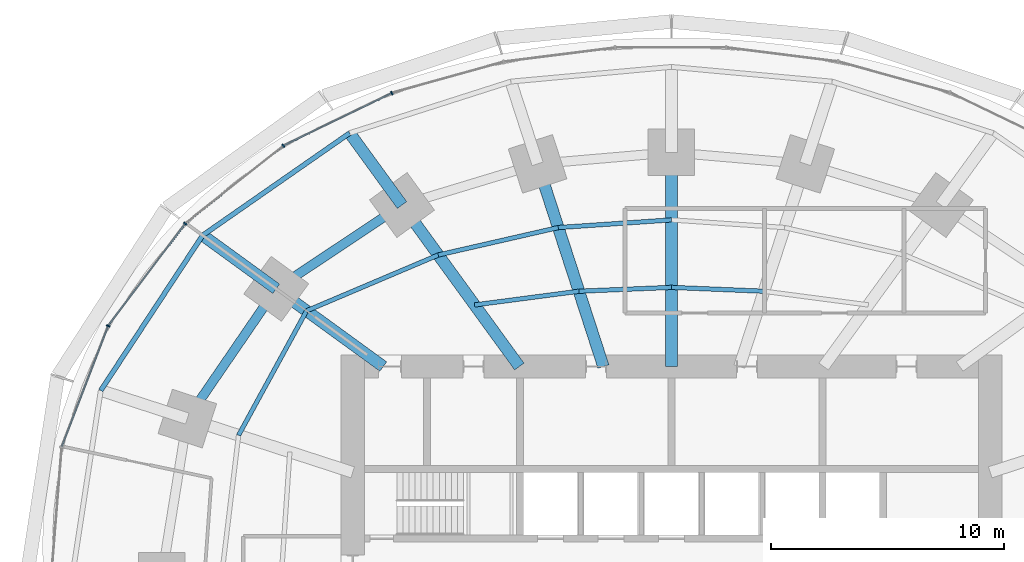
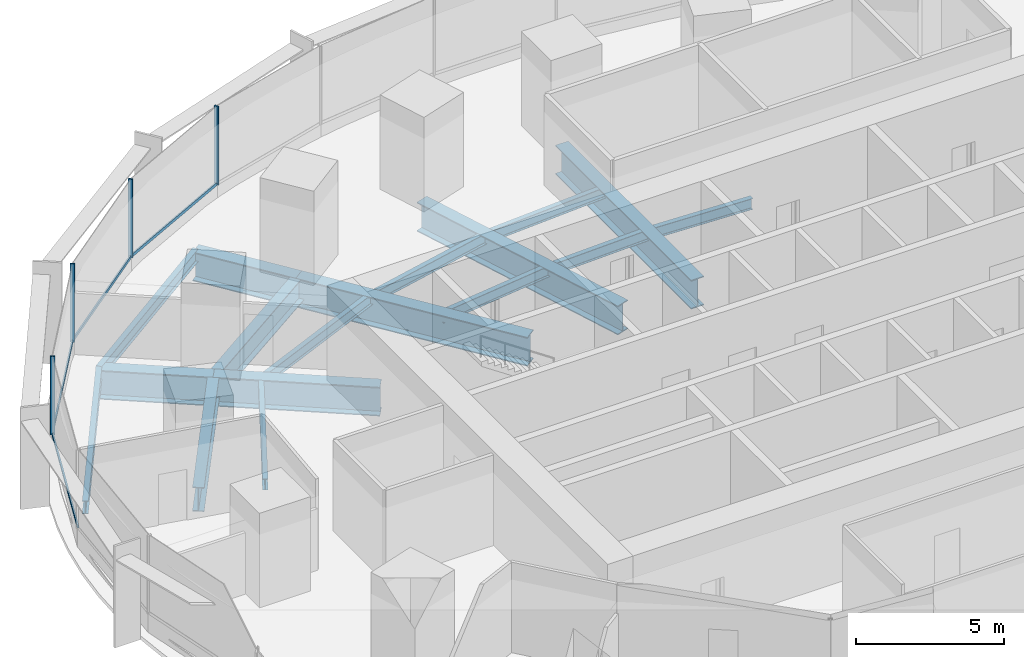
# One storey, part 7 of 15: 17 beams, 8 members, 1 element without a shape of its own.
"""IFC4 building model written with IfcOpenShell, lengths in metres."""

import ifcopenshell
import ifcopenshell.guid

model = None  # the IFC model being written
_history = None  # IfcOwnerHistory: only IFC2X3 demands one
_inside = {}  # id of a spatial element -> (the spatial element, [elements in it])
_under = {}  # id of a project, library or spatial element -> (it, [spatial elements below it])
_declared = {}  # id of a project -> (the project, [libraries it declares])
_typed = {}  # id of a type object -> (the type object, [elements of that type])
_made_of = {}  # id of a material, layer set ... -> (it, [elements and type objects made of it])


def new_model(schema):
    """Start an empty IFC model of exactly this schema.

    Asked for "IFC4X3", IfcOpenShell would pick the latest addendum, in which some entities
    have other attributes; the version numbers below select the first issue.
    IFC2X3 requires an IfcOwnerHistory on every rooted entity: one is made here for all.
    """
    global model, _history
    if schema == "IFC4X3":
        model = ifcopenshell.file(schema_version=(4, 3, 0, 0))
    else:
        model = ifcopenshell.file(schema=schema)
    _inside.clear()
    _under.clear()
    _declared.clear()
    _typed.clear()
    _made_of.clear()
    _history = None
    if model.schema == "IFC2X3":
        org = make("IfcOrganization", Name="unknown")
        user = make(
            "IfcPersonAndOrganization",
            ThePerson=make("IfcPerson", FamilyName="unknown"),
            TheOrganization=org,
        )
        app = make(
            "IfcApplication",
            ApplicationDeveloper=org,
            Version="unknown",
            ApplicationFullName="unknown",
            ApplicationIdentifier="unknown",
        )
        _history = make(
            "IfcOwnerHistory",
            OwningUser=user,
            OwningApplication=app,
            ChangeAction="ADDED",
            CreationDate=0,
        )
    return model


def make(cls, **values):
    """One entity of the class cls with the attributes given. An attribute that is None is left unset."""
    return model.create_entity(
        cls, **{name: value for name, value in values.items() if value is not None}
    )


def rooted(cls, **values):
    """An entity with a GlobalId (a new one), such as an element, a storey or a relation."""
    return make(cls, GlobalId=ifcopenshell.guid.new(), OwnerHistory=_history, **values)


def si_unit(unit_type, name, prefix=None):
    """IfcSIUnit, for example si_unit("LENGTHUNIT", "METRE", prefix="MILLI")."""
    return make("IfcSIUnit", UnitType=unit_type, Prefix=prefix, Name=name)


def assignment(units):
    """IfcUnitAssignment: the units of a project."""
    return None if units is None else make("IfcUnitAssignment", Units=units)


def point(xyz):
    """IfcCartesianPoint."""
    return None if xyz is None else make("IfcCartesianPoint", Coordinates=xyz)


def direction(xyz):
    """IfcDirection."""
    return None if xyz is None else make("IfcDirection", DirectionRatios=xyz)


def frame(location, z_axis=None, x_axis=None):
    """IfcAxis2Placement3D, a coordinate frame: its origin and axes. An axis left out is left unset."""
    return make(
        "IfcAxis2Placement3D",
        Location=point(location),
        Axis=direction(z_axis),
        RefDirection=direction(x_axis),
    )


def frame_2d(location, x_axis=None):
    """IfcAxis2Placement2D, a coordinate frame in the plane: its origin and x axis."""
    return make(
        "IfcAxis2Placement2D", Location=point(location), RefDirection=direction(x_axis)
    )


def origin():
    """The frame at (0, 0, 0) with its axes left unset."""
    return frame((0.0, 0.0, 0.0))


def origin_2d():
    """The frame at (0, 0) in the plane with its x axis left unset."""
    return frame_2d((0.0, 0.0))


def place(relative_to, where):
    """IfcLocalPlacement: puts the frame where relative to a parent placement (None: the world)."""
    return make(
        "IfcLocalPlacement", PlacementRelTo=relative_to, RelativePlacement=where
    )


def context(
    kind, dimensions, precision=None, world=None, true_north=None, identifier=None
):
    """IfcGeometricRepresentationContext, for example the 3D "Model" context."""
    return make(
        "IfcGeometricRepresentationContext",
        ContextIdentifier=identifier,
        ContextType=kind,
        CoordinateSpaceDimension=dimensions,
        Precision=precision,
        WorldCoordinateSystem=world,
        TrueNorth=true_north,
    )


def subcontext(parent, identifier, kind, view, scale=None):
    """IfcGeometricRepresentationSubContext, for example "Body" below "Model"."""
    return make(
        "IfcGeometricRepresentationSubContext",
        ContextIdentifier=identifier,
        ContextType=kind,
        ParentContext=parent,
        TargetScale=scale,
        TargetView=view,
    )


def project(units=None, contexts=None):
    """IfcProject with its units and contexts."""
    return rooted(
        "IfcProject",
        Name="project",
        RepresentationContexts=contexts,
        UnitsInContext=assignment(units),
    )


def spatial(cls, under=None, at=None, **own):
    """A site, building, storey or space (cls), placed at a placement, below another one or the project."""
    s = rooted(cls, ObjectPlacement=at, **own)
    if under is not None:
        _under.setdefault(under.id(), (under, []))[1].append(s)
    return s


def profile(cls, at=None, kind="AREA", **sizes):
    """A parametric profile (cls). Its sizes go by their IFC names, for example OverallWidth=200.0."""
    return make(cls, ProfileType=kind, Position=at, **sizes)


def rectangle(**sizes):
    """IfcRectangleProfileDef."""
    return profile("IfcRectangleProfileDef", **sizes)


def i_section(**sizes):
    """IfcIShapeProfileDef."""
    return profile("IfcIShapeProfileDef", **sizes)


def extrude(swept, where, along, depth):
    """IfcExtrudedAreaSolid: the profile swept, set in the frame where, extruded along a direction by depth."""
    return make(
        "IfcExtrudedAreaSolid",
        SweptArea=swept,
        Position=where,
        ExtrudedDirection=direction(along),
        Depth=depth,
    )


def shape(context_of_items, identifier, shape_type, items):
    """IfcShapeRepresentation: the items that make up one representation, for example the "Body"."""
    return make(
        "IfcShapeRepresentation",
        ContextOfItems=context_of_items,
        RepresentationIdentifier=identifier,
        RepresentationType=shape_type,
        Items=items,
    )


def material(Name=None, Category=None):
    """IfcMaterial."""
    return make("IfcMaterial", Name=Name, Category=Category)


def material_profile(
    of_material, cross_section, Name=None, Category=None, Priority=None
):
    """IfcMaterialProfile: a cross section and its material."""
    return make(
        "IfcMaterialProfile",
        Name=Name,
        Material=of_material,
        Profile=cross_section,
        Priority=Priority,
        Category=Category,
    )


def profile_set(profiles, Name=None, composite=None):
    """IfcMaterialProfileSet."""
    return make(
        "IfcMaterialProfileSet",
        Name=Name,
        MaterialProfiles=profiles,
        CompositeProfile=composite,
    )


def made_of(thing, what):
    """Note that an element or type object is made of a material, layer set ...; save() writes the relation."""
    if what is not None:
        _made_of.setdefault(what.id(), (what, []))[1].append(thing)
    return thing


def type_object(cls, material=None, **own):
    """A type object (cls), such as IfcWallType, which elements share."""
    return made_of(rooted(cls, **own), material)


def element(
    cls,
    number,
    at=None,
    inside=None,
    cuts=None,
    type_object=None,
    material=None,
    context=None,
    identifier="Body",
    shape_type=None,
    held_by="IfcProductDefinitionShape",
    body=None,
    shapes=None,
    **own,
):
    """One element of the class cls, such as IfcWall. Its Tag is "e" and its number.

    at: its placement. inside: the storey or other place that contains it. cuts: it is an
    opening in that element (IfcRelVoidsElement). A single representation is given by context,
    identifier, shape_type and body (its items); several are given by shapes. held_by: the class
    of the entity that holds the representations. save() writes the other relations.
    """
    e = rooted(cls, Tag="e%d" % number, ObjectPlacement=at, **own)
    if body is not None:
        shapes = [shape(context, identifier, shape_type, body)]
    if shapes is not None:
        e.Representation = make(held_by, Representations=shapes)
    if inside is not None:
        _inside.setdefault(inside.id(), (inside, []))[1].append(e)
    if cuts is not None:
        rooted(
            "IfcRelVoidsElement", RelatingBuildingElement=cuts, RelatedOpeningElement=e
        )
    if type_object is not None:
        _typed.setdefault(type_object.id(), (type_object, []))[1].append(e)
    return made_of(e, material)


def aggregate(whole, parts):
    """IfcRelAggregates: a whole, such as a stair, and the parts it consists of."""
    return rooted("IfcRelAggregates", RelatingObject=whole, RelatedObjects=parts)


def save(model, path):
    """Write the relations noted so far, then the file.

    IfcRelAggregates (storeys below a building ...), IfcRelContainedInSpatialStructure (elements
    in a storey), IfcRelDefinesByType, IfcRelAssociatesMaterial and IfcRelDeclares: one each for
    every whole, place, type object, material and project.
    """
    for whole, parts in _under.values():
        aggregate(whole, parts)
    for where, things in _inside.values():
        rooted(
            "IfcRelContainedInSpatialStructure",
            RelatedElements=things,
            RelatingStructure=where,
        )
    for kind, things in _typed.values():
        rooted("IfcRelDefinesByType", RelatedObjects=things, RelatingType=kind)
    for what, things in _made_of.values():
        rooted("IfcRelAssociatesMaterial", RelatedObjects=things, RelatingMaterial=what)
    for by, libraries in _declared.values():
        rooted("IfcRelDeclares", RelatingContext=by, RelatedDefinitions=libraries)
    model.write(path)


model = new_model("IFC4")

# Units and contexts
model_context = context("Model", 3, precision=1e-05, world=origin(), true_north=direction((0.0, 1.0)))
body_context = subcontext(model_context, "Body", "Model", "MODEL_VIEW")
ifc_project = project(units=[si_unit("LENGTHUNIT", "METRE"), si_unit("AREAUNIT", "SQUARE_METRE"), si_unit("VOLUMEUNIT", "CUBIC_METRE"), si_unit("PLANEANGLEUNIT", "RADIAN"), si_unit("MASSUNIT", "GRAM", prefix="KILO")], contexts=[model_context])

# Site, building, storey
site_placement = place(None, origin())
site = spatial("IfcSite", under=ifc_project, at=site_placement, CompositionType="ELEMENT")
building_placement = place(site_placement, origin())
building = spatial("IfcBuilding", under=site, at=building_placement, Name="Marramba Exchange Tower", CompositionType="ELEMENT")
storey_placement = place(building_placement, frame((0.0, 0.0, 61.60009765625)))
storey = spatial("IfcBuildingStorey", under=building, at=storey_placement, Name="L14", CompositionType="ELEMENT", Elevation=61.60009765625)

# Beams
ifc_material_1 = material(Name="Steel AS/NZS 3679.2 grade 300", Category="steel")
ifc_material_profile_1 = material_profile(ifc_material_1, i_section(OverallWidth=0.5, OverallDepth=1.199951171875, WebThickness=0.01611328125, FlangeThickness=0.0400390625, at=origin_2d()), Name="1200WB455")
ifc_profile_set_1 = profile_set([ifc_material_profile_1], Name="Steel AS/NZS 3679.2 grade 300")
beam_type_1 = type_object("IfcBeamType", Name="Cantilever girder 1200WB455", PredefinedType="BEAM", material=ifc_profile_set_1)
beam_1_placement = place(storey_placement, frame((-11.581298828125, 15.9404296875, -0.760009765625), z_axis=(-0.587795827483, 0.809009310944, 0.0), x_axis=(-0.809009310944, -0.587795827483, 0.0)))
element("IfcBeam", 1, at=beam_1_placement, inside=storey, type_object=beam_type_1, Name="Cantilever girder L14 TC08", PredefinedType="BEAM", context=body_context, shape_type="SweptSolid", body=[
    extrude(i_section(OverallWidth=0.5, OverallDepth=1.199951171875, WebThickness=0.01611328125, FlangeThickness=0.0400390625, at=origin_2d()), origin(), (0.0, 0.0, 1.0), 3.82421875),
])
beam_2_placement = place(storey_placement, frame((-16.98583984375, 12.3408203125, -0.760009765625), z_axis=(-0.808987260856, 0.587826174793, 0.0), x_axis=(-0.587826174793, -0.808987260856, 0.0)))
element("IfcBeam", 2, at=beam_2_placement, inside=storey, type_object=beam_type_1, Name="Cantilever girder L14 TC09", PredefinedType="BEAM", context=body_context, shape_type="SweptSolid", body=[
    extrude(i_section(OverallWidth=0.5, OverallDepth=1.199951171875, WebThickness=0.01611328125, FlangeThickness=0.0400390625, at=origin_2d()), origin(), (0.0, 0.0, 1.0), 3.90771484375),
])
ifc_material_2 = material(Name="Steel AS/NZS 3679.1 grade 300", Category="steel")
ifc_material_profile_2 = material_profile(ifc_material_2, i_section(OverallWidth=0.18994140625, OverallDepth=0.4541015625, WebThickness=0.008544921875, FlangeThickness=0.0126953125, FilletRadius=0.011474609375, at=origin_2d()), Name="460UB67.1")
ifc_profile_set_2 = profile_set([ifc_material_profile_2], Name="Steel AS/NZS 3679.1 grade 300")
beam_type_2 = type_object("IfcBeamType", Name="Floor joist 460UB67.1", PredefinedType="JOIST", material=ifc_profile_set_2)
for number, where, z_axis, x_axis, name in (
    (3, (3.975830078125, 12.236083984375, -0.38720703125), (-0.999137002892, 0.041536122257, 0.0), (-0.041536122257, -0.999137002892, 0.0), "Joist L14 bay 05 row 1"),
    (4, (0.0, 12.4013671875, -0.38720703125), (-0.999137002892, -0.041536122257, 0.0), (0.041536122257, -0.999137002892, 0.0), "Joist L14 bay 06 row 1"),
):
    element("IfcBeam", number, at=place(storey_placement, frame(where, z_axis=z_axis, x_axis=x_axis)), inside=storey, type_object=beam_type_2, Name=name, PredefinedType="JOIST", context=body_context, shape_type="SweptSolid", body=[
        extrude(i_section(OverallWidth=0.18994140625, OverallDepth=0.4541015625, WebThickness=0.008544921875, FlangeThickness=0.0126953125, FilletRadius=0.011474609375, at=origin_2d()), origin(), (0.0, 0.0, 1.0), 3.979248046875),
    ])
beam_3_placement = place(storey_placement, frame((0.0, 15.302734375, -0.38720703125), z_axis=(-0.997702652202, -0.067745241816, 0.0), x_axis=(0.067745241816, -0.997702652202, 0.0)))
element("IfcBeam", 5, at=beam_3_placement, inside=storey, type_object=beam_type_2, Name="Joist L14 bay 06 row 2", PredefinedType="JOIST", context=body_context, shape_type="SweptSolid", body=[
    extrude(i_section(OverallWidth=0.18994140625, OverallDepth=0.4541015625, WebThickness=0.008544921875, FlangeThickness=0.0126953125, FilletRadius=0.011474609375, at=origin_2d()), origin(), (0.0, 0.0, 1.0), 4.8759765625),
])
beam_4_placement = place(storey_placement, frame((-3.975830078125, 12.236083984375, -0.38720703125), z_axis=(-0.991480538255, -0.130254912618, 0.0), x_axis=(0.130254912618, -0.991480538255, 0.0)))
element("IfcBeam", 6, at=beam_4_placement, inside=storey, type_object=beam_type_2, Name="Joist L14 bay 07 row 1", PredefinedType="JOIST", context=body_context, shape_type="SweptSolid", body=[
    extrude(i_section(OverallWidth=0.18994140625, OverallDepth=0.4541015625, WebThickness=0.008544921875, FlangeThickness=0.0126953125, FilletRadius=0.011474609375, at=origin_2d()), origin(), (0.0, 0.0, 1.0), 4.524658203125),
])
beam_5_placement = place(storey_placement, frame((-4.86474609375, 14.972412109375, -0.38720703125), z_axis=(-0.974859652292, -0.222819788916, 0.0), x_axis=(0.222819788916, -0.974859652292, 0.0)))
element("IfcBeam", 7, at=beam_5_placement, inside=storey, type_object=beam_type_2, Name="Joist L14 bay 07 row 2", PredefinedType="JOIST", context=body_context, shape_type="SweptSolid", body=[
    extrude(i_section(OverallWidth=0.18994140625, OverallDepth=0.4541015625, WebThickness=0.008544921875, FlangeThickness=0.0126953125, FilletRadius=0.011474609375, at=origin_2d()), origin(), (0.0, 0.0, 1.0), 5.2900390625),
])
beam_6_placement = place(storey_placement, frame((-10.021728515625, 13.793701171875, -0.38720703125), z_axis=(-0.920674336375, -0.390331610738, 0.0), x_axis=(0.390331610738, -0.920674336375, 0.0)))
element("IfcBeam", 8, at=beam_6_placement, inside=storey, type_object=beam_type_2, Name="Joist L14 bay 08 row 2", PredefinedType="JOIST", context=body_context, shape_type="SweptSolid", body=[
    extrude(i_section(OverallWidth=0.18994140625, OverallDepth=0.4541015625, WebThickness=0.008544921875, FlangeThickness=0.0126953125, FilletRadius=0.011474609375, at=origin_2d()), origin(), (0.0, 0.0, 1.0), 6.1484375),
])
beam_7_placement = place(storey_placement, frame((-15.682373046875, 11.393798828125, -0.38720703125), z_axis=(-0.479584443791, -0.877495732909, 0.0), x_axis=(0.877495732909, -0.479584443791, 0.0)))
element("IfcBeam", 9, at=beam_7_placement, inside=storey, type_object=beam_type_2, Name="Joist L14 bay 09 row 2", PredefinedType="JOIST", context=body_context, shape_type="SweptSolid", body=[
    extrude(i_section(OverallWidth=0.18994140625, OverallDepth=0.4541015625, WebThickness=0.008544921875, FlangeThickness=0.0126953125, FilletRadius=0.011474609375, at=origin_2d()), origin(), (0.0, 0.0, 1.0), 6.094970703125),
])
ifc_material_profile_3 = material_profile(ifc_material_1, i_section(OverallWidth=0.5, OverallDepth=1.199951171875, WebThickness=0.01611328125, FlangeThickness=0.0400390625, at=origin_2d()), Name="1200WB455")
ifc_profile_set_3 = profile_set([ifc_material_profile_3], Name="Steel AS/NZS 3679.2 grade 300")
beam_type_3 = type_object("IfcBeamType", Name="Radial girder 1200WB455", PredefinedType="BEAM", material=ifc_profile_set_3)
beam_8_placement = place(storey_placement, frame((0.0, 9.0, -0.760009765625), z_axis=(0.0, 1.0, 0.0), x_axis=(-1.0, 0.0, 0.0)))
element("IfcBeam", 10, at=beam_8_placement, inside=storey, type_object=beam_type_3, Name="Radial girder L14 TC06", PredefinedType="BEAM", context=body_context, shape_type="SweptSolid", body=[
    extrude(i_section(OverallWidth=0.5, OverallDepth=1.199951171875, WebThickness=0.01611328125, FlangeThickness=0.0400390625, at=origin_2d()), origin(), (0.0, 0.0, 1.0), 9.2041015625),
])
beam_9_placement = place(storey_placement, frame((-2.92431640625, 9.0, -0.760009765625), z_axis=(-0.309019754162, 0.951055619582, 0.0), x_axis=(-0.951055619582, -0.309019754162, 0.0)))
element("IfcBeam", 11, at=beam_9_placement, inside=storey, type_object=beam_type_3, Name="Radial girder L14 TC07", PredefinedType="BEAM", context=body_context, shape_type="SweptSolid", body=[
    extrude(i_section(OverallWidth=0.5, OverallDepth=1.199951171875, WebThickness=0.01611328125, FlangeThickness=0.0400390625, at=origin_2d()), origin(), (0.0, 0.0, 1.0), 9.15673828125),
])
beam_10_placement = place(storey_placement, frame((-6.538818359375, 9.0, -0.760009765625), z_axis=(-0.587782439969, 0.80901903764, 0.0), x_axis=(-0.80901903764, -0.587782439969, 0.0)))
element("IfcBeam", 12, at=beam_10_placement, inside=storey, type_object=beam_type_3, Name="Radial girder L14 TC08", PredefinedType="BEAM", context=body_context, shape_type="SweptSolid", body=[
    extrude(i_section(OverallWidth=0.5, OverallDepth=1.199951171875, WebThickness=0.01611328125, FlangeThickness=0.0400390625, at=origin_2d()), origin(), (0.0, 0.0, 1.0), 8.578857421875),
])
beam_11_placement = place(storey_placement, frame((-12.387451171875, 9.0, -0.760009765625), z_axis=(-0.809025746925, 0.587773205252, 0.0), x_axis=(-0.587773205252, -0.809025746925, 0.0)))
element("IfcBeam", 13, at=beam_11_placement, inside=storey, type_object=beam_type_3, Name="Radial girder L14 TC09", PredefinedType="BEAM", context=body_context, shape_type="SweptSolid", body=[
    extrude(i_section(OverallWidth=0.5, OverallDepth=1.199951171875, WebThickness=0.01611328125, FlangeThickness=0.0400390625, at=origin_2d()), origin(), (0.0, 0.0, 1.0), 5.683837890625),
])
ifc_material_profile_4 = material_profile(ifc_material_1, i_section(OverallWidth=0.39990234375, OverallDepth=1.0, WebThickness=0.01611328125, FlangeThickness=0.031982421875, at=origin_2d()), Name="1000WB322")
ifc_profile_set_4 = profile_set([ifc_material_profile_4], Name="Steel AS/NZS 3679.2 grade 300")
beam_type_4 = type_object("IfcBeamType", Name="Ring beam 1000WB322", PredefinedType="SPANDREL", material=ifc_profile_set_4)
beam_12_placement = place(storey_placement, frame((-11.581298828125, 15.9404296875, -0.66015625), z_axis=(-0.832293151443, -0.554335737673, 0.0), x_axis=(0.554335737673, -0.832293151443, 0.0)))
element("IfcBeam", 14, at=beam_12_placement, inside=storey, type_object=beam_type_4, Name="Ring beam L14 TC08-TC09", PredefinedType="SPANDREL", context=body_context, shape_type="SweptSolid", body=[
    extrude(i_section(OverallWidth=0.39990234375, OverallDepth=1.0, WebThickness=0.01611328125, FlangeThickness=0.031982421875, at=origin_2d()), origin(), (0.0, 0.0, 1.0), 6.49365234375),
])
beam_13_placement = place(storey_placement, frame((-16.98583984375, 12.3408203125, -0.66015625), z_axis=(-0.56516002054, -0.824981303535, 0.0), x_axis=(0.824981303535, -0.56516002054, 0.0)))
element("IfcBeam", 15, at=beam_13_placement, inside=storey, type_object=beam_type_4, Name="Ring beam L14 TC09-TC10", PredefinedType="SPANDREL", context=body_context, shape_type="SweptSolid", body=[
    extrude(i_section(OverallWidth=0.39990234375, OverallDepth=1.0, WebThickness=0.01611328125, FlangeThickness=0.031982421875, at=origin_2d()), origin(), (0.0, 0.0, 1.0), 6.763671875),
])
ifc_material_profile_5 = material_profile(ifc_material_2, i_section(OverallWidth=0.208984375, OverallDepth=0.528076171875, WebThickness=0.009521484375, FlangeThickness=0.01318359375, FilletRadius=0.013916015625, at=origin_2d()), Name="530UB82.0")
ifc_profile_set_5 = profile_set([ifc_material_profile_5], Name="Steel AS/NZS 3679.1 grade 300")
beam_type_5 = type_object("IfcBeamType", Name="Slab edge beam 530UB82.0", PredefinedType="SPANDREL", material=ifc_profile_set_5)
beam_14_placement = place(storey_placement, frame((-13.8291015625, 19.0341796875, -0.424072265625), z_axis=(-0.820842487183, -0.571154629882, 0.0), x_axis=(0.571154629882, -0.820842487183, 0.0)))
element("IfcBeam", 16, at=beam_14_placement, inside=storey, type_object=beam_type_5, Name="Slab edge beam L14 TC08-TC09", PredefinedType="SPANDREL", context=body_context, shape_type="SweptSolid", body=[
    extrude(i_section(OverallWidth=0.208984375, OverallDepth=0.528076171875, WebThickness=0.009521484375, FlangeThickness=0.01318359375, FilletRadius=0.013916015625, at=origin_2d()), origin(), (0.0, 0.0, 1.0), 7.697021484375),
])
beam_15_placement = place(storey_placement, frame((-20.147216796875, 14.637939453125, -0.424072265625), z_axis=(-0.549123544095, -0.835741188001, 0.0), x_axis=(0.835741188001, -0.549123544095, 0.0)))
element("IfcBeam", 17, at=beam_15_placement, inside=storey, type_object=beam_type_5, Name="Slab edge beam L14 TC09-TC10", PredefinedType="SPANDREL", context=body_context, shape_type="SweptSolid", body=[
    extrude(i_section(OverallWidth=0.208984375, OverallDepth=0.528076171875, WebThickness=0.009521484375, FlangeThickness=0.01318359375, FilletRadius=0.013916015625, at=origin_2d()), origin(), (0.0, 0.0, 1.0), 7.978759765625),
])

# Curtain wall, members
ifc_material_3 = material(Name="Aluminium framing, bronze anodised", Category="aluminium")
curtain_wall_type = type_object("IfcCurtainWallType", Name="Trading floor ribbon curtain wall", PredefinedType="USERDEFINED", material=ifc_material_3)
curtain_wall_placement = place(storey_placement, origin())
curtain_wall = element("IfcCurtainWall", 18, at=curtain_wall_placement, inside=storey, type_object=curtain_wall_type, Name="Curtain wall CW3 L14 F11-F15", ObjectType="RIBBON CURTAIN WALL", PredefinedType="USERDEFINED")
ifc_material_4 = material(Name="Aluminium mullion, bronze anodised", Category="aluminium")
ifc_material_profile_6 = material_profile(ifc_material_4, rectangle(XDim=0.159912109375, YDim=0.06005859375, at=origin_2d()), Name="CW3 mullion 60x160")
ifc_profile_set_6 = profile_set([ifc_material_profile_6], Name="Aluminium mullion, bronze anodised")
member_type_1 = type_object("IfcMemberType", Name="Trading floor ribbon curtain wall mullion", PredefinedType="MULLION", material=ifc_profile_set_6)
member_1_placement = place(storey_placement, frame((-12.016357421875, 20.7529296875, 0.7998046875), z_axis=(0.0, 0.0, 1.0), x_axis=(0.43596538664, -0.899963433508, 0.0)))
member_1 = element("IfcMember", 19, at=member_1_placement, type_object=member_type_1, Name="CW3 mullion 1", PredefinedType="MULLION", context=body_context, shape_type="SweptSolid", body=[
    extrude(rectangle(XDim=0.159912109375, YDim=0.06005859375, at=origin_2d()), origin(), (0.0, 0.0, 1.0), 3.239990234375),
])
member_2_placement = place(storey_placement, frame((-16.683837890625, 18.484619140625, 0.7998046875), z_axis=(0.0, 0.0, 1.0), x_axis=(0.620649730166, -0.784087949432, 0.0)))
member_2 = element("IfcMember", 20, at=member_2_placement, type_object=member_type_1, Name="CW3 mullion 1", PredefinedType="MULLION", context=body_context, shape_type="SweptSolid", body=[
    extrude(rectangle(XDim=0.159912109375, YDim=0.06005859375, at=origin_2d()), origin(), (0.0, 0.0, 1.0), 3.239990234375),
])
member_3_placement = place(storey_placement, frame((-20.8935546875, 15.142822265625, 0.7998046875), z_axis=(0.0, 0.0, 1.0), x_axis=(0.797748922445, -0.602989765036, 0.0)))
member_3 = element("IfcMember", 21, at=member_3_placement, type_object=member_type_1, Name="CW3 mullion 1", PredefinedType="MULLION", context=body_context, shape_type="SweptSolid", body=[
    extrude(rectangle(XDim=0.159912109375, YDim=0.06005859375, at=origin_2d()), origin(), (0.0, 0.0, 1.0), 3.239990234375),
])
member_4_placement = place(storey_placement, frame((-24.207275390625, 10.7451171875, 0.7998046875), z_axis=(0.0, 0.0, 1.0), x_axis=(0.933135256626, -0.359525510698, 0.0)))
member_4 = element("IfcMember", 22, at=member_4_placement, type_object=member_type_1, Name="CW3 mullion 1", PredefinedType="MULLION", context=body_context, shape_type="SweptSolid", body=[
    extrude(rectangle(XDim=0.159912109375, YDim=0.06005859375, at=origin_2d()), origin(), (0.0, 0.0, 1.0), 3.239990234375),
])
ifc_material_5 = material(Name="Aluminium transom, bronze anodised", Category="aluminium")
ifc_material_profile_7 = material_profile(ifc_material_5, rectangle(XDim=0.06005859375, YDim=0.1201171875, at=origin_2d()), Name="CW3 transom 60x120")
ifc_profile_set_7 = profile_set([ifc_material_profile_7], Name="Aluminium transom, bronze anodised")
member_type_2 = type_object("IfcMemberType", Name="Trading floor ribbon curtain wall transom", PredefinedType="USERDEFINED", material=ifc_profile_set_7)
member_5_placement = place(storey_placement, frame((-12.043212890625, 20.739990234375, 0.829833984375), z_axis=(-0.89995331781, -0.43598626786, 0.0), x_axis=(0.43598626786, -0.89995331781, 0.0)))
member_5 = element("IfcMember", 23, at=member_5_placement, type_object=member_type_2, Name="CW3 sill transom", ObjectType="TRANSOM", PredefinedType="USERDEFINED", context=body_context, shape_type="SweptSolid", body=[
    extrude(rectangle(XDim=0.06005859375, YDim=0.1201171875, at=origin_2d()), origin(), (0.0, 0.0, 1.0), 5.13037109375),
])
member_6_placement = place(storey_placement, frame((-16.70751953125, 18.466064453125, 0.829833984375), z_axis=(-0.784075625018, -0.620665299701, 0.0), x_axis=(0.620665299701, -0.784075625018, 0.0)))
member_6 = element("IfcMember", 24, at=member_6_placement, type_object=member_type_2, Name="CW3 sill transom", ObjectType="TRANSOM", PredefinedType="USERDEFINED", context=body_context, shape_type="SweptSolid", body=[
    extrude(rectangle(XDim=0.06005859375, YDim=0.1201171875, at=origin_2d()), origin(), (0.0, 0.0, 1.0), 5.315673828125),
])
member_7_placement = place(storey_placement, frame((-20.91162109375, 15.118896484375, 0.829833984375), z_axis=(-0.602985866158, -0.797751869452, 0.0), x_axis=(0.797751869452, -0.602985866158, 0.0)))
member_7 = element("IfcMember", 25, at=member_7_placement, type_object=member_type_2, Name="CW3 sill transom", ObjectType="TRANSOM", PredefinedType="USERDEFINED", context=body_context, shape_type="SweptSolid", body=[
    extrude(rectangle(XDim=0.06005859375, YDim=0.1201171875, at=origin_2d()), origin(), (0.0, 0.0, 1.0), 5.44775390625),
])
member_8_placement = place(storey_placement, frame((-24.218017578125, 10.717041015625, 0.829833984375), z_axis=(-0.359533581349, -0.933132147063, 0.0), x_axis=(0.933132147063, -0.359533581349, 0.0)))
member_8 = element("IfcMember", 26, at=member_8_placement, type_object=member_type_2, Name="CW3 sill transom", ObjectType="TRANSOM", PredefinedType="USERDEFINED", context=body_context, shape_type="SweptSolid", body=[
    extrude(rectangle(XDim=0.06005859375, YDim=0.1201171875, at=origin_2d()), origin(), (0.0, 0.0, 1.0), 5.5166015625),
])
aggregate(curtain_wall, [member_1, member_5, member_2, member_6, member_3, member_7, member_4, member_8])

save(model, "model.ifc")
